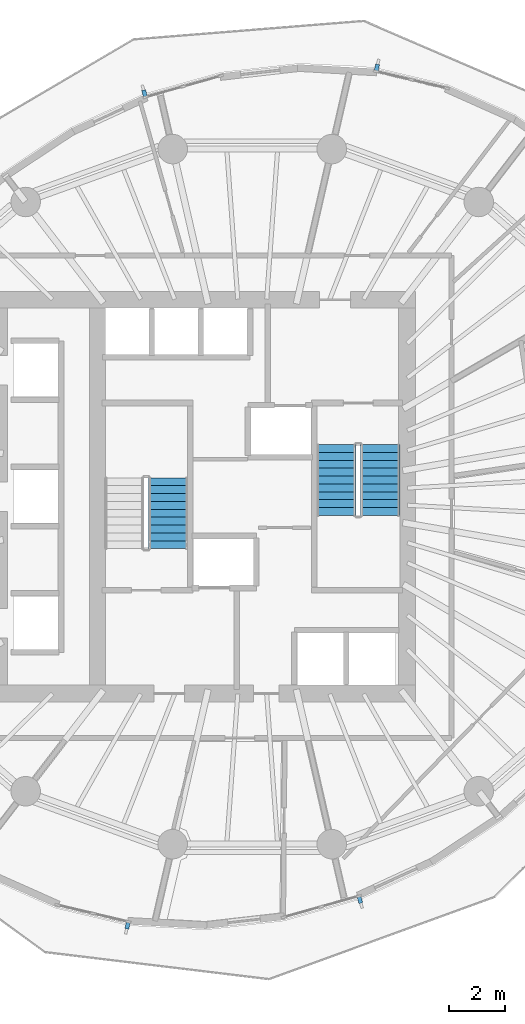
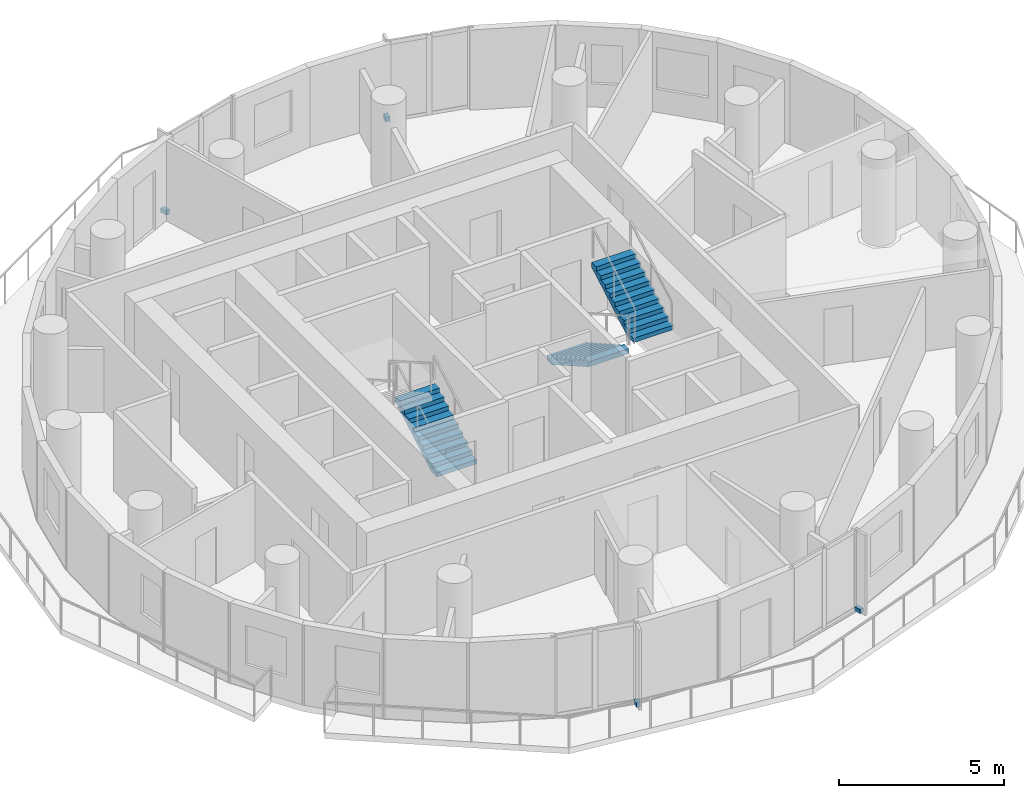
# One storey, part 8 of 13: 4 discrete accessories, 3 stair flights, 2 elements without a shape of their own.
"""IFC4 building model written with IfcOpenShell, lengths in metres."""

from ifc_helpers import new_model, si_unit, direction, frame, origin, origin_2d, place, context, subcontext, project, spatial, polyline, rectangle, outline, extrude, material, type_object, element, aggregate, save


model = new_model("IFC4")

# Units and contexts
model_context = context("Model", 3, precision=1e-05, world=origin(), true_north=direction((0.0, 1.0)))
body_context = subcontext(model_context, "Body", "Model", "MODEL_VIEW")
ifc_project = project(units=[si_unit("LENGTHUNIT", "METRE"), si_unit("AREAUNIT", "SQUARE_METRE"), si_unit("VOLUMEUNIT", "CUBIC_METRE"), si_unit("PLANEANGLEUNIT", "RADIAN"), si_unit("MASSUNIT", "GRAM", prefix="KILO")], contexts=[model_context])

# Site, building, storey
site_placement = place(None, origin())
site = spatial("IfcSite", under=ifc_project, at=site_placement, CompositionType="ELEMENT")
building_placement = place(site_placement, origin())
building = spatial("IfcBuilding", under=site, at=building_placement, Name="Veldorim Arch Residences", CompositionType="ELEMENT")
storey_placement = place(building_placement, frame((0.0, 0.0, 152.159912109375)))
storey = spatial("IfcBuildingStorey", under=building, at=storey_placement, Name="L45", CompositionType="ELEMENT", Elevation=152.159912109375)

# Stair, stair flight
ifc_material_1 = material(Name="Concrete C40/50", Category="concrete")
stair_type = type_object("IfcStairType", Name="Reinforced Concrete Dogleg Exit Staircase", PredefinedType="HALF_TURN_STAIR", material=ifc_material_1)
stair_1_placement = place(storey_placement, origin())
stair_1 = element("IfcStair", 1, at=stair_1_placement, inside=storey, type_object=stair_type, Name="L45 Exit Staircase ST-1", PredefinedType="HALF_TURN_STAIR")
ifc_material_2 = material(Name="Concrete C40/50", Category="concrete")
stair_flight_type = type_object("IfcStairFlightType", Name="Reinforced Concrete Stair Flight 1400", PredefinedType="STRAIGHT", material=ifc_material_2)
stair_flight_1_placement = place(storey_placement, frame((29.010009765625, 22.14990234375, 0.0), z_axis=(0.0, 0.0, 1.0), x_axis=(0.0, 1.0, 0.0)))
stair_flight_1 = element("IfcStairFlight", 2, at=stair_flight_1_placement, type_object=stair_flight_type, Name="ST-1 flight 1", NumberOfRisers=10, NumberOfTreads=9, PredefinedType="STRAIGHT", RiserHeight=0.16, TreadLength=0.28, context=body_context, shape_type="SweptSolid", body=[
    extrude(outline(polyline([(0.0, 0.0), (0.0, 0.159912109375), (0.280029296875, 0.159912109375), (0.280029296875, 0.320068359375), (0.56005859375, 0.320068359375), (0.56005859375, 0.47998046875), (0.840087890625, 0.47998046875), (0.840087890625, 0.639892578125), (1.1201171875, 0.639892578125), (1.1201171875, 0.800048828125), (1.39990234375, 0.800048828125), (1.39990234375, 0.9599609375), (1.679931640625, 0.9599609375), (1.679931640625, 1.1201171875), (1.9599609375, 1.1201171875), (1.9599609375, 1.280029296875), (2.239990234375, 1.280029296875), (2.239990234375, 1.43994140625), (2.52001953125, 1.43994140625), (2.52001953125, 1.60009765625), (2.52001953125, 1.255859375), (0.322265625, 0.0), (0.0, 0.0)])), frame((0.0, 0.699951171875, 0.0), z_axis=(0.0, -1.0, 0.0), x_axis=(1.0, 0.0, 0.0)), (0.0, 0.0, 1.0), 1.39990234375),
])
aggregate(stair_1, [stair_flight_1])

# Stair, stair flights
stair_2_placement = place(storey_placement, origin())
stair_2 = element("IfcStair", 3, at=stair_2_placement, inside=storey, type_object=stair_type, Name="L45 Exit Staircase ST-2", PredefinedType="HALF_TURN_STAIR")
stair_flight_2_placement = place(storey_placement, frame((34.989990234375, 25.85009765625, 0.0), z_axis=(0.0, 0.0, 1.0), x_axis=(0.0, -1.0, 0.0)))
stair_flight_2 = element("IfcStairFlight", 4, at=stair_flight_2_placement, type_object=stair_flight_type, Name="ST-2 flight 1", NumberOfRisers=10, NumberOfTreads=9, PredefinedType="STRAIGHT", RiserHeight=0.16, TreadLength=0.28, context=body_context, shape_type="SweptSolid", body=[
    extrude(outline(polyline([(0.0, 0.0), (0.0, 0.159912109375), (0.280029296875, 0.159912109375), (0.280029296875, 0.320068359375), (0.56005859375, 0.320068359375), (0.56005859375, 0.47998046875), (0.840087890625, 0.47998046875), (0.840087890625, 0.639892578125), (1.1201171875, 0.639892578125), (1.1201171875, 0.800048828125), (1.39990234375, 0.800048828125), (1.39990234375, 0.9599609375), (1.679931640625, 0.9599609375), (1.679931640625, 1.1201171875), (1.9599609375, 1.1201171875), (1.9599609375, 1.280029296875), (2.239990234375, 1.280029296875), (2.239990234375, 1.43994140625), (2.52001953125, 1.43994140625), (2.52001953125, 1.60009765625), (2.52001953125, 1.255859375), (0.322265625, 0.0), (0.0, 0.0)])), frame((0.0, 0.699951171875, 0.0), z_axis=(0.0, -1.0, 0.0), x_axis=(1.0, 0.0, 0.0)), (0.0, 0.0, 1.0), 1.39990234375),
])
stair_flight_3_placement = place(storey_placement, frame((36.550048828125, 23.330078125, 1.60009765625), z_axis=(0.0, 0.0, 1.0), x_axis=(0.0, 1.0, 0.0)))
stair_flight_3 = element("IfcStairFlight", 5, at=stair_flight_3_placement, type_object=stair_flight_type, Name="ST-2 flight 2", NumberOfRisers=10, NumberOfTreads=9, PredefinedType="STRAIGHT", RiserHeight=0.16, TreadLength=0.28, context=body_context, shape_type="SweptSolid", body=[
    extrude(outline(polyline([(0.0, 0.0), (0.0, 0.159912109375), (0.280029296875, 0.159912109375), (0.280029296875, 0.320068359375), (0.56005859375, 0.320068359375), (0.56005859375, 0.47998046875), (0.840087890625, 0.47998046875), (0.840087890625, 0.639892578125), (1.1201171875, 0.639892578125), (1.1201171875, 0.800048828125), (1.39990234375, 0.800048828125), (1.39990234375, 0.9599609375), (1.679931640625, 0.9599609375), (1.679931640625, 1.1201171875), (1.9599609375, 1.1201171875), (1.9599609375, 1.280029296875), (2.239990234375, 1.280029296875), (2.239990234375, 1.43994140625), (2.52001953125, 1.43994140625), (2.52001953125, 1.60009765625), (2.52001953125, 1.255859375), (0.322265625, 0.0), (0.0, 0.0)])), frame((0.0, 0.699951171875, 0.0), z_axis=(0.0, -1.0, 0.0), x_axis=(1.0, 0.0, 0.0)), (0.0, 0.0, 1.0), 1.39990234375),
])
aggregate(stair_2, [stair_flight_2, stair_flight_3])

# Discrete accessories
ifc_material_3 = material(Name="Stainless Steel", Category="steel")
discrete_accessory_type = type_object("IfcDiscreteAccessoryType", Name="Stainless Steel Facade Fin Anchor Bracket", PredefinedType="BRACKET", material=ifc_material_3)
for number, where, z_axis, x_axis, name in (
    (6, (36.43359375, 39.256103515625, -0.02001953125), (0.0, 0.0, 1.0), (0.972977745976, -0.230898908261, 0.0), "L45 stainless fin anchor bracket 04"),
    (7, (28.17041015625, 38.339599609375, -0.02001953125), (0.0, 0.0, 1.0), (0.962549928407, 0.271104473079, 0.0), "L45 stainless fin anchor bracket 07"),
    (8, (27.56640625, 8.743896484375, -0.02001953125), (0.0, 0.0, 1.0), (-0.972977745976, 0.230898908261, 0.0), "L45 stainless fin anchor bracket 22"),
    (9, (35.82958984375, 9.660400390625, -0.02001953125), (0.0, 0.0, 1.0), (-0.962549928407, -0.271104473079, 0.0), "L45 stainless fin anchor bracket 25"),
):
    element("IfcDiscreteAccessory", number, at=place(storey_placement, frame(where, z_axis=z_axis, x_axis=x_axis)), inside=storey, type_object=discrete_accessory_type, Name=name, PredefinedType="BRACKET", context=body_context, shape_type="SweptSolid", body=[
        extrude(rectangle(XDim=0.139892578125, YDim=0.239990234375, at=origin_2d()), origin(), (0.0, 0.0, 1.0), 0.159912109375),
    ])

save(model, "model.ifc")
